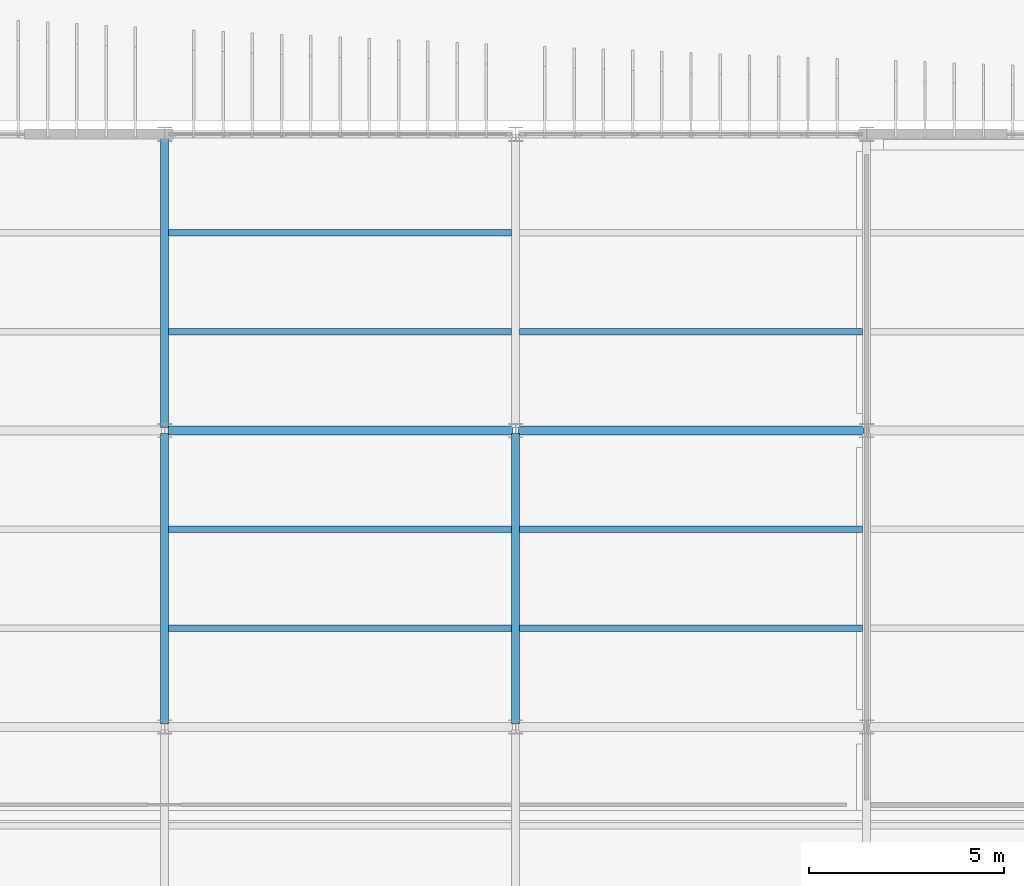
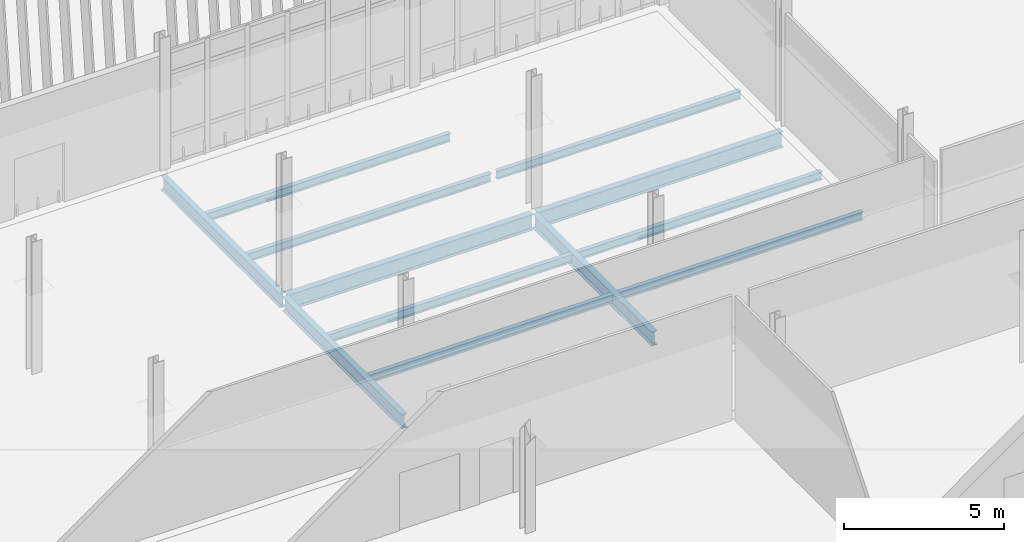
# One storey, part 46 of 161: 12 beams.
"""IFC4 building model written with IfcOpenShell, lengths in metres."""

from ifc_helpers import new_model, si_unit, direction, frame, origin, origin_2d, place, context, subcontext, project, spatial, i_section, extrude, material, material_profile, profile_set, type_object, element, save


model = new_model("IFC4")

# Units and contexts
model_context = context("Model", 3, precision=1e-05, world=origin(), true_north=direction((0.0, 1.0)))
body_context = subcontext(model_context, "Body", "Model", "MODEL_VIEW")
ifc_project = project(units=[si_unit("LENGTHUNIT", "METRE"), si_unit("AREAUNIT", "SQUARE_METRE"), si_unit("VOLUMEUNIT", "CUBIC_METRE"), si_unit("PLANEANGLEUNIT", "RADIAN"), si_unit("MASSUNIT", "GRAM", prefix="KILO")], contexts=[model_context])

# Site, building, storey
site_placement = place(None, origin())
site = spatial("IfcSite", under=ifc_project, at=site_placement, CompositionType="ELEMENT")
building_placement = place(site_placement, origin())
building = spatial("IfcBuilding", under=site, at=building_placement, Name="Caisbarro Railhouse Central Library", CompositionType="ELEMENT")
storey_placement = place(building_placement, origin())
storey = spatial("IfcBuildingStorey", under=building, at=storey_placement, Name="L00", CompositionType="ELEMENT", Elevation=0.0)

# Beams
ifc_material = material(Name="Steel ASTM A572 Grade 50", Category="steel")
ifc_material_profile_1 = material_profile(ifc_material, i_section(OverallWidth=0.22802734375, OverallDepth=0.60791015625, WebThickness=0.01123046875, FlangeThickness=0.017333984375, FilletRadius=0.02197265625, at=origin_2d()), Name="W610X113.0")
ifc_profile_set_1 = profile_set([ifc_material_profile_1], Name="Steel ASTM A572 Grade 50")
beam_type_1 = type_object("IfcBeamType", Name="BM-G04", PredefinedType="BEAM", material=ifc_profile_set_1)
for number, where, z_axis, x_axis, name in (
    (1, (18.080078125, 53.199951171875, -0.553955078125), (1.0, 0.0, 0.0), (0.0, 1.0, 0.0), "G04 beam L00 #269"),
    (2, (27.080078125, 53.199951171875, -0.553955078125), (1.0, 0.0, 0.0), (0.0, 1.0, 0.0), "G04 beam L00 #270"),
):
    element("IfcBeam", number, at=place(storey_placement, frame(where, z_axis=z_axis, x_axis=x_axis)), inside=storey, type_object=beam_type_1, Name=name, PredefinedType="BEAM", context=body_context, shape_type="SweptSolid", body=[
        extrude(i_section(OverallWidth=0.22802734375, OverallDepth=0.60791015625, WebThickness=0.01123046875, FlangeThickness=0.017333984375, FilletRadius=0.02197265625, at=origin_2d()), origin(), (0.0, 0.0, 1.0), 8.83984375),
    ])
ifc_material_profile_2 = material_profile(ifc_material, i_section(OverallWidth=0.208984375, OverallDepth=0.532958984375, WebThickness=0.01025390625, FlangeThickness=0.015625, FilletRadius=0.02001953125, at=origin_2d()), Name="W530X92.0")
ifc_profile_set_2 = profile_set([ifc_material_profile_2], Name="Steel ASTM A572 Grade 50")
beam_type_2 = type_object("IfcBeamType", Name="BM-G06", PredefinedType="BEAM", material=ifc_profile_set_2)
beam_1_placement = place(storey_placement, frame((18.0, 45.679931640625, -0.5166015625), z_axis=(0.0, 1.0, 0.0), x_axis=(-1.0, 0.0, 0.0)))
element("IfcBeam", 3, at=beam_1_placement, inside=storey, type_object=beam_type_2, Name="G06 beam L00 #293", PredefinedType="BEAM", context=body_context, shape_type="SweptSolid", body=[
    extrude(i_section(OverallWidth=0.208984375, OverallDepth=0.532958984375, WebThickness=0.01025390625, FlangeThickness=0.015625, FilletRadius=0.02001953125, at=origin_2d()), origin(), (0.0, 0.0, 1.0), 7.440185546875),
])
beam_2_placement = place(storey_placement, frame((18.0, 53.280029296875, -0.5166015625), z_axis=(0.0, 1.0, 0.0), x_axis=(-1.0, 0.0, 0.0)))
element("IfcBeam", 4, at=beam_2_placement, inside=storey, type_object=beam_type_2, Name="G06 beam L00 #294", PredefinedType="BEAM", context=body_context, shape_type="SweptSolid", body=[
    extrude(i_section(OverallWidth=0.208984375, OverallDepth=0.532958984375, WebThickness=0.01025390625, FlangeThickness=0.015625, FilletRadius=0.02001953125, at=origin_2d()), origin(), (0.0, 0.0, 1.0), 7.43994140625),
])
beam_3_placement = place(storey_placement, frame((27.0, 45.679931640625, -0.5166015625), z_axis=(0.0, 1.0, 0.0), x_axis=(-1.0, 0.0, 0.0)))
element("IfcBeam", 5, at=beam_3_placement, inside=storey, type_object=beam_type_2, Name="G06 beam L00 #297", PredefinedType="BEAM", context=body_context, shape_type="SweptSolid", body=[
    extrude(i_section(OverallWidth=0.208984375, OverallDepth=0.532958984375, WebThickness=0.01025390625, FlangeThickness=0.015625, FilletRadius=0.02001953125, at=origin_2d()), origin(), (0.0, 0.0, 1.0), 7.440185546875),
])
ifc_material_profile_3 = material_profile(ifc_material, i_section(OverallWidth=0.1650390625, OverallDepth=0.31005859375, WebThickness=0.005859375, FlangeThickness=0.009765625, FilletRadius=0.011962890625, at=origin_2d()), Name="W310X38.7")
ifc_profile_set_3 = profile_set([ifc_material_profile_3], Name="Steel ASTM A572 Grade 50")
beam_type_3 = type_object("IfcBeamType", Name="BM-J03", PredefinedType="JOIST", material=ifc_profile_set_3)
for number, where, z_axis, x_axis, name in (
    (6, (18.1044921875, 48.13330078125, -0.405029296875), (1.0, 0.0, 0.0), (0.0, 1.0, 0.0), "J03 beam L00 #339"),
    (7, (18.1044921875, 50.666748046875, -0.405029296875), (1.0, 0.0, 0.0), (0.0, 1.0, 0.0), "J03 beam L00 #340"),
    (8, (18.1044921875, 55.7333984375, -0.405029296875), (1.0, 0.0, 0.0), (0.0, 1.0, 0.0), "J03 beam L00 #341"),
    (9, (18.1044921875, 58.2666015625, -0.405029296875), (1.0, 0.0, 0.0), (0.0, 1.0, 0.0), "J03 beam L00 #342"),
    (10, (27.1044921875, 48.13330078125, -0.405029296875), (1.0, 0.0, 0.0), (0.0, 1.0, 0.0), "J03 beam L00 #347"),
    (11, (27.1044921875, 50.666748046875, -0.405029296875), (1.0, 0.0, 0.0), (0.0, 1.0, 0.0), "J03 beam L00 #348"),
    (12, (27.1044921875, 55.7333984375, -0.405029296875), (1.0, 0.0, 0.0), (0.0, 1.0, 0.0), "J03 beam L00 #349"),
):
    element("IfcBeam", number, at=place(storey_placement, frame(where, z_axis=z_axis, x_axis=x_axis)), inside=storey, type_object=beam_type_3, Name=name, PredefinedType="JOIST", context=body_context, shape_type="SweptSolid", body=[
        extrude(i_section(OverallWidth=0.1650390625, OverallDepth=0.31005859375, WebThickness=0.005859375, FlangeThickness=0.009765625, FilletRadius=0.011962890625, at=origin_2d()), origin(), (0.0, 0.0, 1.0), 8.791015625),
    ])

save(model, "model.ifc")
